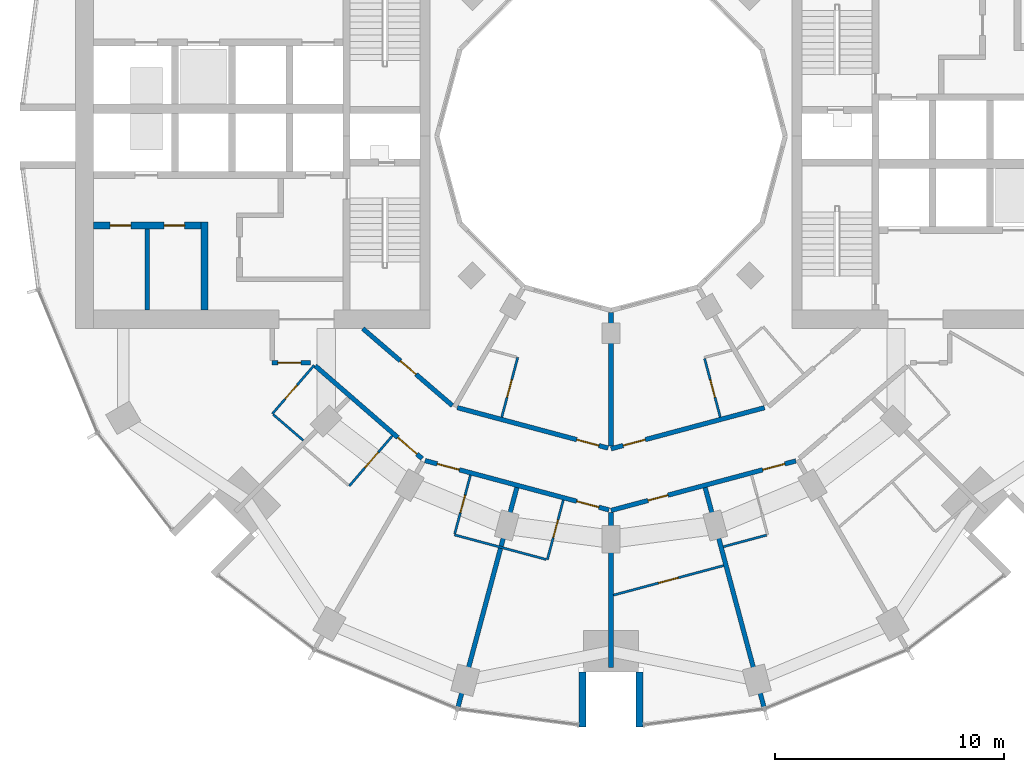
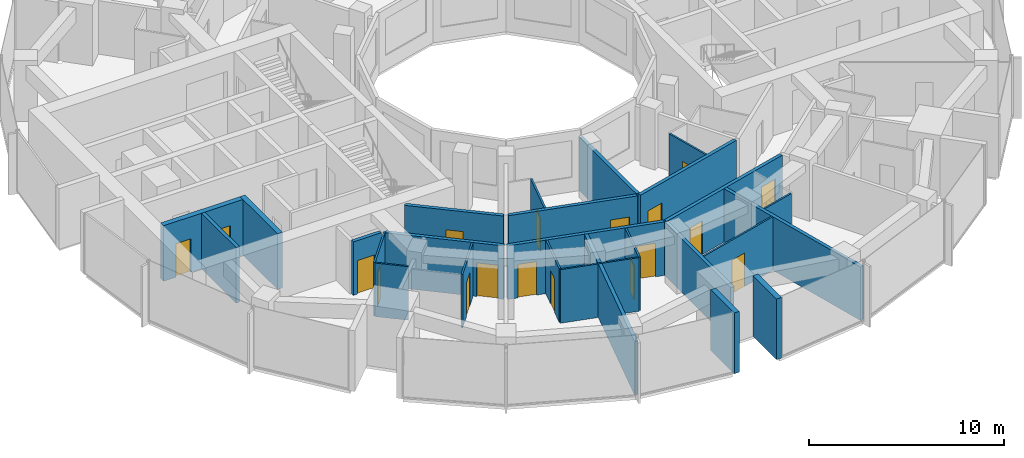
# One storey, part 8 of 15: 26 walls, 18 doors, 18 openings.
"""IFC4 building model written with IfcOpenShell, lengths in metres."""

from ifc_helpers import new_model, si_unit, direction, frame, frame_2d, origin, place, context, subcontext, project, spatial, rectangle, extrude, material, layer, layer_set, type_object, element, fill, save


model = new_model("IFC4")

# Units and contexts
model_context = context("Model", 3, precision=1e-05, world=origin(), true_north=direction((0.0, 1.0)))
body_context = subcontext(model_context, "Body", "Model", "MODEL_VIEW")
ifc_project = project(units=[si_unit("LENGTHUNIT", "METRE"), si_unit("AREAUNIT", "SQUARE_METRE"), si_unit("VOLUMEUNIT", "CUBIC_METRE"), si_unit("PLANEANGLEUNIT", "RADIAN"), si_unit("MASSUNIT", "GRAM", prefix="KILO")], contexts=[model_context])

# Site, building, storey
site_placement = place(None, origin())
site = spatial("IfcSite", under=ifc_project, at=site_placement, CompositionType="ELEMENT")
building_placement = place(site_placement, origin())
building = spatial("IfcBuilding", under=site, at=building_placement, Name="Torre Brocal", CompositionType="ELEMENT")
storey_placement = place(building_placement, frame((0.0, 0.0, 47.800048828125)))
storey = spatial("IfcBuildingStorey", under=building, at=storey_placement, Name="L10", CompositionType="ELEMENT", Elevation=47.800048828125)

# Walls
ifc_material_1 = material(Name="Masonry block", Category="masonry")
ifc_layer_1 = layer(ifc_material_1, 0.199951171875)
ifc_layer_set_1 = layer_set([ifc_layer_1], Name="Masonry block")
wall_type_1 = type_object("IfcWallType", Name="CORE PARTITION 200", PredefinedType="PARTITIONING", material=ifc_layer_set_1)
wall_1_placement = place(storey_placement, frame((59.75, 70.949951171875, 0.0), z_axis=(0.0, 0.0, 1.0), x_axis=(0.0, -1.0, 0.0)))
element("IfcWall", 1, at=wall_1_placement, inside=storey, type_object=wall_type_1, Name="Wall CP200", PredefinedType="PARTITIONING", context=body_context, shape_type="SweptSolid", body=[
    extrude(rectangle(XDim=3.550048828125, YDim=0.199951171875, at=frame_2d((1.77490234375, 0.0))), origin(), (0.0, 0.0, 1.0), 3.47998046875),
])
ifc_material_2 = material(Name="Concrete C80", Category="concrete")
ifc_layer_2 = layer(ifc_material_2, 0.300048828125)
ifc_layer_set_2 = layer_set([ifc_layer_2], Name="Concrete C80")
wall_type_2 = type_object("IfcWallType", Name="CORE WALL 300 C80", PredefinedType="SHEAR", material=ifc_layer_set_2)
wall_2_placement = place(storey_placement, frame((62.25, 71.25, 0.0), z_axis=(0.0, 0.0, 1.0), x_axis=(0.0, -1.0, 0.0)))
element("IfcWall", 2, at=wall_2_placement, inside=storey, type_object=wall_type_2, Name="Wall CW300-80", PredefinedType="SHEAR", context=body_context, shape_type="SweptSolid", body=[
    extrude(rectangle(XDim=3.85009765625, YDim=0.300048828125, at=frame_2d((1.925048828125, 0.0))), origin(), (0.0, 0.0, 1.0), 3.47998046875),
])

# Wall, openings, doors
wall_3_placement = place(storey_placement, frame((62.10009765625, 71.10009765625, 0.0), z_axis=(0.0, 0.0, 1.0), x_axis=(-1.0, 0.0, 0.0)))
wall_3 = element("IfcWall", 3, at=wall_3_placement, inside=storey, type_object=wall_type_2, Name="Wall CW300-80", PredefinedType="SHEAR", context=body_context, shape_type="SweptSolid", body=[
    extrude(rectangle(XDim=4.7001953125, YDim=0.300048828125, at=frame_2d((2.35009765625, 0.0))), origin(), (0.0, 0.0, 1.0), 3.47998046875),
])
opening_1_placement = place(wall_3_placement, frame((0.72509765625, 0.0, 0.0)))
opening_1 = element("IfcOpeningElement", 4, at=opening_1_placement, cuts=wall_3, Name="Opening W-D05", PredefinedType="OPENING", context=body_context, shape_type="SweptSolid", body=[
    extrude(rectangle(XDim=0.89990234375, YDim=2.10009765625, at=frame_2d((0.449951171875, 1.050048828125))), frame((0.0, 0.159912109375, 0.0), z_axis=(0.0, -1.0, 0.0), x_axis=(1.0, 0.0, 0.0)), (0.0, 0.0, 1.0), 0.320068359375),
])
opening_2_placement = place(wall_3_placement, frame((3.074951171875, 0.0, 0.0)))
opening_2 = element("IfcOpeningElement", 5, at=opening_2_placement, cuts=wall_3, Name="Opening W-D06", PredefinedType="OPENING", context=body_context, shape_type="SweptSolid", body=[
    extrude(rectangle(XDim=0.89990234375, YDim=2.10009765625, at=frame_2d((0.449951171875, 1.050048828125))), frame((0.0, 0.159912109375, 0.0), z_axis=(0.0, -1.0, 0.0), x_axis=(1.0, 0.0, 0.0)), (0.0, 0.0, 1.0), 0.320068359375),
])
ifc_material_3 = material(Name="Steel A653", Category="steel")
door_type_1 = type_object("IfcDoorType", Name="ROOM DOOR FD30S 900X2100", OperationType="SINGLE_SWING_LEFT", PredefinedType="DOOR", material=ifc_material_3)
door_1_placement = place(opening_1_placement, origin())
door_1 = element("IfcDoor", 6, at=door_1_placement, inside=storey, type_object=door_type_1, Name="Door W-D05", OperationType="SINGLE_SWING_RIGHT", OverallHeight=2.10009765625, OverallWidth=0.89990234375, PredefinedType="DOOR", context=body_context, shape_type="SweptSolid", body=[
    extrude(rectangle(XDim=0.89990234375, YDim=2.10009765625, at=frame_2d((0.449951171875, 1.050048828125))), frame((0.0, 0.02490234375, 0.0), z_axis=(0.0, -1.0, 0.0), x_axis=(1.0, 0.0, 0.0)), (0.0, 0.0, 1.0), 0.050048828125),
])
fill(opening_1, door_1)
door_2_placement = place(opening_2_placement, origin())
door_2 = element("IfcDoor", 7, at=door_2_placement, inside=storey, type_object=door_type_1, Name="Door W-D06", OperationType="SINGLE_SWING_LEFT", OverallHeight=2.10009765625, OverallWidth=0.89990234375, PredefinedType="DOOR", context=body_context, shape_type="SweptSolid", body=[
    extrude(rectangle(XDim=0.89990234375, YDim=2.10009765625, at=frame_2d((0.449951171875, 1.050048828125))), frame((0.0, 0.02490234375, 0.0), z_axis=(0.0, -1.0, 0.0), x_axis=(1.0, 0.0, 0.0)), (0.0, 0.0, 1.0), 0.050048828125),
])
fill(opening_2, door_2)

# Walls
ifc_material_4 = material(Name="Concrete C80", Category="concrete")
ifc_layer_3 = layer(ifc_material_4, 0.300048828125)
ifc_layer_set_3 = layer_set([ifc_layer_3], Name="Concrete C80")
wall_type_3 = type_object("IfcWallType", Name="NOTCH RETURN WALL 300 C80", PredefinedType="NOTDEFINED", material=ifc_layer_set_3)
for number, where, z_axis, x_axis, name in (
    (8, (78.75, 51.60009765625, 0.0), (0.0, 0.0, 1.0), (0.0, -1.0, 0.0), "NOTCH RETURN WALL"),
    (9, (81.25, 51.60009765625, 0.0), (0.0, 0.0, 1.0), (0.0, -1.0, 0.0), "NOTCH RETURN WALL"),
):
    element("IfcWall", number, at=place(storey_placement, frame(where, z_axis=z_axis, x_axis=x_axis)), inside=storey, type_object=wall_type_3, Name=name, PredefinedType="NOTDEFINED", context=body_context, shape_type="SweptSolid", body=[
        extrude(rectangle(XDim=2.415771484375, YDim=0.300048828125, at=frame_2d((1.2080078125, 0.0))), origin(), (0.0, 0.0, 1.0), 3.800048828125),
    ])
ifc_material_5 = material(Name="Gypsum board", Category="Gypsum")
ifc_layer_4 = layer(ifc_material_5, 0.10009765625)
ifc_layer_set_4 = layer_set([ifc_layer_4], Name="Gypsum board")
wall_type_4 = type_object("IfcWallType", Name="PARTITION 100", PredefinedType="PARTITIONING", material=ifc_layer_set_4)
wall_4_placement = place(storey_placement, frame((65.245849609375, 62.84228515625, 0.0), z_axis=(0.0, 0.0, 1.0), x_axis=(0.758030338995, -0.652219292234, 0.0)))
element("IfcWall", 10, at=wall_4_placement, inside=storey, type_object=wall_type_4, Name="BATHROOM WALL", PredefinedType="PARTITIONING", context=body_context, shape_type="SweptSolid", body=[
    extrude(rectangle(XDim=1.73046875, YDim=0.10009765625, at=frame_2d((0.865234375, 0.0))), origin(), (0.0, 0.0, 1.0), 3.349853515625),
])

# Wall, opening, door
wall_5_placement = place(storey_placement, frame((65.2080078125, 62.875, 0.0), z_axis=(0.0, 0.0, 1.0), x_axis=(0.65205430601, 0.758172264076, 0.0)))
wall_5 = element("IfcWall", 11, at=wall_5_placement, inside=storey, type_object=wall_type_4, Name="BATHROOM WALL", PredefinedType="PARTITIONING", context=body_context, shape_type="SweptSolid", body=[
    extrude(rectangle(XDim=2.7998046875, YDim=0.10009765625, at=frame_2d((1.39990234375, 0.0))), origin(), (0.0, 0.0, 1.0), 3.349853515625),
])
opening_3_placement = place(wall_5_placement, frame((0.85009765625, 0.0, 0.0)))
opening_3 = element("IfcOpeningElement", 12, at=opening_3_placement, cuts=wall_5, Name="Opening H02-D40", PredefinedType="OPENING", context=body_context, shape_type="SweptSolid", body=[
    extrude(rectangle(XDim=0.800048828125, YDim=2.10009765625, at=frame_2d((0.39990234375, 1.050048828125))), frame((0.0, 0.06005859375, 0.0), z_axis=(0.0, -1.0, 0.0), x_axis=(1.0, 0.0, 0.0)), (0.0, 0.0, 1.0), 0.1201171875),
])
ifc_material_6 = material(Name="Timber", Category="wood")
door_type_2 = type_object("IfcDoorType", Name="BATHROOM DOOR 800X2100", OperationType="SINGLE_SWING_LEFT", PredefinedType="DOOR", material=ifc_material_6)
door_3_placement = place(opening_3_placement, frame((0.800048828125, 0.0, 0.0), z_axis=(0.0, 0.0, 1.0), x_axis=(-1.0, 0.0, 0.0)))
door_3 = element("IfcDoor", 13, at=door_3_placement, inside=storey, type_object=door_type_2, Name="H02-D40", OperationType="SINGLE_SWING_RIGHT", OverallHeight=2.10009765625, OverallWidth=0.800048828125, PredefinedType="DOOR", context=body_context, shape_type="SweptSolid", body=[
    extrude(rectangle(XDim=0.800048828125, YDim=2.10009765625, at=frame_2d((0.39990234375, 1.050048828125))), frame((0.0, 0.02490234375, 0.0), z_axis=(0.0, -1.0, 0.0), x_axis=(1.0, 0.0, 0.0)), (0.0, 0.0, 1.0), 0.050048828125),
])
fill(opening_3, door_3)

wall_6_placement = place(storey_placement, frame((68.56591796875, 59.721923828125, 0.0), z_axis=(0.0, 0.0, 1.0), x_axis=(0.65193146671, 0.758277892803, 0.0)))
wall_6 = element("IfcWall", 14, at=wall_6_placement, inside=storey, type_object=wall_type_4, Name="BATHROOM WALL", PredefinedType="PARTITIONING", context=body_context, shape_type="SweptSolid", body=[
    extrude(rectangle(XDim=2.890380859375, YDim=0.10009765625, at=frame_2d((1.4453125, 0.0))), origin(), (0.0, 0.0, 1.0), 3.349853515625),
])
opening_4_placement = place(wall_6_placement, frame((1.050048828125, 0.0, 0.0)))
opening_4 = element("IfcOpeningElement", 15, at=opening_4_placement, cuts=wall_6, Name="Opening H02-D38", PredefinedType="OPENING", context=body_context, shape_type="SweptSolid", body=[
    extrude(rectangle(XDim=0.89990234375, YDim=2.10009765625, at=frame_2d((0.449951171875, 1.050048828125))), frame((0.0, 0.06005859375, 0.0), z_axis=(0.0, -1.0, 0.0), x_axis=(1.0, 0.0, 0.0)), (0.0, 0.0, 1.0), 0.1201171875),
])
ifc_material_7 = material(Name="Timber", Category="wood")
door_type_3 = type_object("IfcDoorType", Name="ACCESSIBLE BATHROOM DOOR 900X2100", OperationType="SINGLE_SWING_LEFT", PredefinedType="DOOR", material=ifc_material_7)
door_4_placement = place(opening_4_placement, origin())
door_4 = element("IfcDoor", 16, at=door_4_placement, inside=storey, type_object=door_type_3, Name="H02-D38", OperationType="SINGLE_SWING_RIGHT", OverallHeight=2.10009765625, OverallWidth=0.89990234375, PredefinedType="DOOR", context=body_context, shape_type="SweptSolid", body=[
    extrude(rectangle(XDim=0.89990234375, YDim=2.10009765625, at=frame_2d((0.449951171875, 1.050048828125))), frame((0.0, 0.02490234375, 0.0), z_axis=(0.0, -1.0, 0.0), x_axis=(1.0, 0.0, 0.0)), (0.0, 0.0, 1.0), 0.050048828125),
])
fill(opening_4, door_4)

wall_7_placement = place(storey_placement, frame((73.173828125, 57.63623046875, 0.0), z_axis=(0.0, 0.0, 1.0), x_axis=(0.258952498977, 0.96589005755, 0.0)))
wall_7 = element("IfcWall", 17, at=wall_7_placement, inside=storey, type_object=wall_type_4, Name="BATHROOM WALL", PredefinedType="PARTITIONING", context=body_context, shape_type="SweptSolid", body=[
    extrude(rectangle(XDim=2.650146484375, YDim=0.10009765625, at=frame_2d((1.3251953125, 0.0))), origin(), (0.0, 0.0, 1.0), 3.349853515625),
])
opening_5_placement = place(wall_7_placement, frame((0.9501953125, 0.0, 0.0)))
opening_5 = element("IfcOpeningElement", 18, at=opening_5_placement, cuts=wall_7, Name="Opening H02-D36", PredefinedType="OPENING", context=body_context, shape_type="SweptSolid", body=[
    extrude(rectangle(XDim=0.800048828125, YDim=2.10009765625, at=frame_2d((0.39990234375, 1.050048828125))), frame((0.0, 0.06005859375, 0.0), z_axis=(0.0, -1.0, 0.0), x_axis=(1.0, 0.0, 0.0)), (0.0, 0.0, 1.0), 0.1201171875),
])
door_5_placement = place(opening_5_placement, frame((0.800048828125, 0.0, 0.0), z_axis=(0.0, 0.0, 1.0), x_axis=(-1.0, 0.0, 0.0)))
door_5 = element("IfcDoor", 19, at=door_5_placement, inside=storey, type_object=door_type_2, Name="H02-D36", OperationType="SINGLE_SWING_LEFT", OverallHeight=2.10009765625, OverallWidth=0.800048828125, PredefinedType="DOOR", context=body_context, shape_type="SweptSolid", body=[
    extrude(rectangle(XDim=0.800048828125, YDim=2.10009765625, at=frame_2d((0.39990234375, 1.050048828125))), frame((0.0, 0.02490234375, 0.0), z_axis=(0.0, -1.0, 0.0), x_axis=(1.0, 0.0, 0.0)), (0.0, 0.0, 1.0), 0.050048828125),
])
fill(opening_5, door_5)

# Wall
wall_8_placement = place(storey_placement, frame((73.160888671875, 57.587890625, 0.0), z_axis=(0.0, 0.0, 1.0), x_axis=(0.965858994467, -0.259068336173, 0.0)))
element("IfcWall", 20, at=wall_8_placement, inside=storey, type_object=wall_type_4, Name="BATHROOM WALL", PredefinedType="PARTITIONING", context=body_context, shape_type="SweptSolid", body=[
    extrude(rectangle(XDim=4.150146484375, YDim=0.10009765625, at=frame_2d((2.0751953125, 0.0))), origin(), (0.0, 0.0, 1.0), 3.349853515625),
])

# Wall, opening, door
wall_9_placement = place(storey_placement, frame((75.226806640625, 62.728759765625, 0.0), z_axis=(0.0, 0.0, 1.0), x_axis=(0.258945475746, 0.965891940432, 0.0)))
wall_9 = element("IfcWall", 21, at=wall_9_placement, inside=storey, type_object=wall_type_4, Name="BATHROOM WALL", PredefinedType="PARTITIONING", context=body_context, shape_type="SweptSolid", body=[
    extrude(rectangle(XDim=2.7001953125, YDim=0.10009765625, at=frame_2d((1.35009765625, 0.0))), origin(), (0.0, 0.0, 1.0), 3.349853515625),
])
opening_6_placement = place(wall_9_placement, frame((0.900146484375, 0.0, 0.0)))
opening_6 = element("IfcOpeningElement", 22, at=opening_6_placement, cuts=wall_9, Name="Opening H02-D46", PredefinedType="OPENING", context=body_context, shape_type="SweptSolid", body=[
    extrude(rectangle(XDim=0.800048828125, YDim=2.10009765625, at=frame_2d((0.39990234375, 1.050048828125))), frame((0.0, 0.06005859375, 0.0), z_axis=(0.0, -1.0, 0.0), x_axis=(1.0, 0.0, 0.0)), (0.0, 0.0, 1.0), 0.1201171875),
])
door_6_placement = place(opening_6_placement, origin())
door_6 = element("IfcDoor", 23, at=door_6_placement, inside=storey, type_object=door_type_2, Name="H02-D46", OperationType="SINGLE_SWING_LEFT", OverallHeight=2.10009765625, OverallWidth=0.800048828125, PredefinedType="DOOR", context=body_context, shape_type="SweptSolid", body=[
    extrude(rectangle(XDim=0.800048828125, YDim=2.10009765625, at=frame_2d((0.39990234375, 1.050048828125))), frame((0.0, 0.02490234375, 0.0), z_axis=(0.0, -1.0, 0.0), x_axis=(1.0, 0.0, 0.0)), (0.0, 0.0, 1.0), 0.050048828125),
])
fill(opening_6, door_6)

wall_10_placement = place(storey_placement, frame((77.218017578125, 56.5009765625, 0.0), z_axis=(0.0, 0.0, 1.0), x_axis=(0.258591408257, 0.965986792651, 0.0)))
wall_10 = element("IfcWall", 24, at=wall_10_placement, inside=storey, type_object=wall_type_4, Name="BATHROOM WALL", PredefinedType="PARTITIONING", context=body_context, shape_type="SweptSolid", body=[
    extrude(rectangle(XDim=2.69921875, YDim=0.10009765625, at=frame_2d((1.349609375, 0.0))), origin(), (0.0, 0.0, 1.0), 3.349853515625),
])
opening_7_placement = place(wall_10_placement, frame((0.99951171875, 0.0, 0.0)))
opening_7 = element("IfcOpeningElement", 25, at=opening_7_placement, cuts=wall_10, Name="Opening H02-D34", PredefinedType="OPENING", context=body_context, shape_type="SweptSolid", body=[
    extrude(rectangle(XDim=0.800048828125, YDim=2.10009765625, at=frame_2d((0.39990234375, 1.050048828125))), frame((0.0, 0.06005859375, 0.0), z_axis=(0.0, -1.0, 0.0), x_axis=(1.0, 0.0, 0.0)), (0.0, 0.0, 1.0), 0.1201171875),
])
door_7_placement = place(opening_7_placement, origin())
door_7 = element("IfcDoor", 26, at=door_7_placement, inside=storey, type_object=door_type_2, Name="H02-D34", OperationType="SINGLE_SWING_RIGHT", OverallHeight=2.10009765625, OverallWidth=0.800048828125, PredefinedType="DOOR", context=body_context, shape_type="SweptSolid", body=[
    extrude(rectangle(XDim=0.800048828125, YDim=2.10009765625, at=frame_2d((0.39990234375, 1.050048828125))), frame((0.0, 0.02490234375, 0.0), z_axis=(0.0, -1.0, 0.0), x_axis=(1.0, 0.0, 0.0)), (0.0, 0.0, 1.0), 0.050048828125),
])
fill(opening_7, door_7)

wall_11_placement = place(storey_placement, frame((80.106201171875, 54.95556640625, 0.0), z_axis=(0.0, 0.0, 1.0), x_axis=(0.965910666284, 0.258875616386, 0.0)))
wall_11 = element("IfcWall", 27, at=wall_11_placement, inside=storey, type_object=wall_type_4, Name="ROOM PARTITION", PredefinedType="PARTITIONING", context=body_context, shape_type="SweptSolid", body=[
    extrude(rectangle(XDim=4.985107421875, YDim=0.10009765625, at=frame_2d((2.49267578125, 0.0))), origin(), (0.0, 0.0, 1.0), 3.349853515625),
])
opening_8_placement = place(wall_11_placement, frame((2.03759765625, 0.0, 0.0)))
opening_8 = element("IfcOpeningElement", 28, at=opening_8_placement, cuts=wall_11, Name="Opening H02-D32", PredefinedType="OPENING", context=body_context, shape_type="SweptSolid", body=[
    extrude(rectangle(XDim=0.89990234375, YDim=2.10009765625, at=frame_2d((0.449951171875, 1.050048828125))), frame((0.0, 0.06005859375, 0.0), z_axis=(0.0, -1.0, 0.0), x_axis=(1.0, 0.0, 0.0)), (0.0, 0.0, 1.0), 0.1201171875),
])
ifc_material_8 = material(Name="Timber", Category="wood")
door_type_4 = type_object("IfcDoorType", Name="ROOM DOOR 900X2100", OperationType="SINGLE_SWING_LEFT", PredefinedType="DOOR", material=ifc_material_8)
door_8_placement = place(opening_8_placement, origin())
door_8 = element("IfcDoor", 29, at=door_8_placement, inside=storey, type_object=door_type_4, Name="H02-D32", OperationType="SINGLE_SWING_LEFT", OverallHeight=2.10009765625, OverallWidth=0.89990234375, PredefinedType="DOOR", context=body_context, shape_type="SweptSolid", body=[
    extrude(rectangle(XDim=0.89990234375, YDim=2.10009765625, at=frame_2d((0.449951171875, 1.050048828125))), frame((0.0, 0.02490234375, 0.0), z_axis=(0.0, -1.0, 0.0), x_axis=(1.0, 0.0, 0.0)), (0.0, 0.0, 1.0), 0.050048828125),
])
fill(opening_8, door_8)

wall_12_placement = place(storey_placement, frame((84.0869140625, 65.288818359375, 0.0), z_axis=(0.0, 0.0, 1.0), x_axis=(0.258929459649, -0.965896234037, 0.0)))
wall_12 = element("IfcWall", 30, at=wall_12_placement, inside=storey, type_object=wall_type_4, Name="BATHROOM WALL", PredefinedType="PARTITIONING", context=body_context, shape_type="SweptSolid", body=[
    extrude(rectangle(XDim=2.650390625, YDim=0.10009765625, at=frame_2d((1.3251953125, 0.0))), origin(), (0.0, 0.0, 1.0), 3.349853515625),
])
opening_9_placement = place(wall_12_placement, frame((0.9501953125, 0.0, 0.0)))
opening_9 = element("IfcOpeningElement", 31, at=opening_9_placement, cuts=wall_12, Name="Opening H02-D44", PredefinedType="OPENING", context=body_context, shape_type="SweptSolid", body=[
    extrude(rectangle(XDim=0.800048828125, YDim=2.10009765625, at=frame_2d((0.39990234375, 1.050048828125))), frame((0.0, 0.06005859375, 0.0), z_axis=(0.0, -1.0, 0.0), x_axis=(1.0, 0.0, 0.0)), (0.0, 0.0, 1.0), 0.1201171875),
])
door_9_placement = place(opening_9_placement, origin())
door_9 = element("IfcDoor", 32, at=door_9_placement, inside=storey, type_object=door_type_2, Name="H02-D44", OperationType="SINGLE_SWING_RIGHT", OverallHeight=2.10009765625, OverallWidth=0.800048828125, PredefinedType="DOOR", context=body_context, shape_type="SweptSolid", body=[
    extrude(rectangle(XDim=0.800048828125, YDim=2.10009765625, at=frame_2d((0.39990234375, 1.050048828125))), frame((0.0, 0.02490234375, 0.0), z_axis=(0.0, -1.0, 0.0), x_axis=(1.0, 0.0, 0.0)), (0.0, 0.0, 1.0), 0.050048828125),
])
fill(opening_9, door_9)

# Wall
wall_13_placement = place(storey_placement, frame((84.90771484375, 57.06982421875, 0.0), z_axis=(0.0, 0.0, 1.0), x_axis=(0.965853538138, 0.25908867761, 0.0)))
element("IfcWall", 33, at=wall_13_placement, inside=storey, type_object=wall_type_4, Name="BATHROOM WALL", PredefinedType="PARTITIONING", context=body_context, shape_type="SweptSolid", body=[
    extrude(rectangle(XDim=1.94970703125, YDim=0.10009765625, at=frame_2d((0.974853515625, 0.0))), origin(), (0.0, 0.0, 1.0), 3.349853515625),
])

# Wall, opening, door
ifc_material_9 = material(Name="Gypsum board", Category="Gypsum")
ifc_layer_5 = layer(ifc_material_9, 0.199951171875)
ifc_layer_set_5 = layer_set([ifc_layer_5], Name="Gypsum board")
wall_type_5 = type_object("IfcWallType", Name="PARTITION 200 EI60", PredefinedType="PARTITIONING", material=ifc_layer_set_5)
wall_14_placement = place(storey_placement, frame((65.199951171875, 65.10009765625, 0.0), z_axis=(0.0, 0.0, 1.0), x_axis=(1.0, 0.0, 0.0)))
wall_14 = element("IfcWall", 34, at=wall_14_placement, inside=storey, type_object=wall_type_5, Name="GUESTROOM CORRIDOR WALL", PredefinedType="PARTITIONING", context=body_context, shape_type="SweptSolid", body=[
    extrude(rectangle(XDim=1.6650390625, YDim=0.199951171875, at=frame_2d((0.83251953125, 0.0))), origin(), (0.0, 0.0, 1.0), 3.349853515625),
])
opening_10_placement = place(wall_14_placement, frame((0.25, 0.0, 0.0)))
opening_10 = element("IfcOpeningElement", 35, at=opening_10_placement, cuts=wall_14, Name="Opening H02-D39", PredefinedType="OPENING", context=body_context, shape_type="SweptSolid", body=[
    extrude(rectangle(XDim=1.0, YDim=2.10009765625, at=frame_2d((0.5, 1.050048828125))), frame((0.0, 0.10986328125, 0.0), z_axis=(0.0, -1.0, 0.0), x_axis=(1.0, 0.0, 0.0)), (0.0, 0.0, 1.0), 0.219970703125),
])
ifc_material_10 = material(Name="Timber", Category="wood")
door_type_5 = type_object("IfcDoorType", Name="FLAT ENTRY DOOR FD30S 1000X2100", OperationType="SINGLE_SWING_RIGHT", PredefinedType="DOOR", material=ifc_material_10)
door_10_placement = place(opening_10_placement, frame((1.0, 0.0, 0.0), z_axis=(0.0, 0.0, 1.0), x_axis=(-1.0, 0.0, 0.0)))
door_10 = element("IfcDoor", 36, at=door_10_placement, inside=storey, type_object=door_type_5, Name="H02-D39", OperationType="SINGLE_SWING_RIGHT", OverallHeight=2.10009765625, OverallWidth=1.0, PredefinedType="DOOR", context=body_context, shape_type="SweptSolid", body=[
    extrude(rectangle(XDim=1.0, YDim=2.10009765625, at=frame_2d((0.5, 1.050048828125))), frame((0.0, 0.02490234375, 0.0), z_axis=(0.0, -1.0, 0.0), x_axis=(1.0, 0.0, 0.0)), (0.0, 0.0, 1.0), 0.050048828125),
])
fill(opening_10, door_10)

wall_15_placement = place(storey_placement, frame((67.08203125, 64.971923828125, 0.0), z_axis=(0.0, 0.0, 1.0), x_axis=(0.755033632617, -0.655686063309, 0.0)))
wall_15 = element("IfcWall", 37, at=wall_15_placement, inside=storey, type_object=wall_type_5, Name="GUESTROOM CORRIDOR WALL", PredefinedType="PARTITIONING", context=body_context, shape_type="SweptSolid", body=[
    extrude(rectangle(XDim=6.185302734375, YDim=0.199951171875, at=frame_2d((3.0927734375, 0.0))), origin(), (0.0, 0.0, 1.0), 3.349853515625),
])
opening_11_placement = place(wall_15_placement, frame((4.778076171875, 0.0, 0.0)))
opening_11 = element("IfcOpeningElement", 38, at=opening_11_placement, cuts=wall_15, Name="Opening H02-D37", PredefinedType="OPENING", context=body_context, shape_type="SweptSolid", body=[
    extrude(rectangle(XDim=1.10009765625, YDim=2.10009765625, at=frame_2d((0.550048828125, 1.050048828125))), frame((0.0, 0.10986328125, 0.0), z_axis=(0.0, -1.0, 0.0), x_axis=(1.0, 0.0, 0.0)), (0.0, 0.0, 1.0), 0.219970703125),
])
ifc_material_11 = material(Name="Timber", Category="wood")
door_type_6 = type_object("IfcDoorType", Name="ACCESSIBLE ENTRY DOOR FD30S 1100X2100", OperationType="SINGLE_SWING_RIGHT", PredefinedType="DOOR", material=ifc_material_11)
door_11_placement = place(opening_11_placement, frame((1.10009765625, 0.0, 0.0), z_axis=(0.0, 0.0, 1.0), x_axis=(-1.0, 0.0, 0.0)))
door_11 = element("IfcDoor", 39, at=door_11_placement, inside=storey, type_object=door_type_6, Name="H02-D37", OperationType="SINGLE_SWING_RIGHT", OverallHeight=2.10009765625, OverallWidth=1.10009765625, PredefinedType="DOOR", context=body_context, shape_type="SweptSolid", body=[
    extrude(rectangle(XDim=1.10009765625, YDim=2.10009765625, at=frame_2d((0.550048828125, 1.050048828125))), frame((0.0, 0.02490234375, 0.0), z_axis=(0.0, -1.0, 0.0), x_axis=(1.0, 0.0, 0.0)), (0.0, 0.0, 1.0), 0.050048828125),
])
fill(opening_11, door_11)

wall_16_placement = place(storey_placement, frame((69.157958984375, 66.60009765625, 0.0), z_axis=(0.0, 0.0, 1.0), x_axis=(0.758063092745, -0.652181222835, 0.0)))
wall_16 = element("IfcWall", 40, at=wall_16_placement, inside=storey, type_object=wall_type_5, Name="CORRIDOR WALL", PredefinedType="PARTITIONING", context=body_context, shape_type="SweptSolid", body=[
    extrude(rectangle(XDim=5.160400390625, YDim=0.199951171875, at=frame_2d((2.580078125, 0.0))), origin(), (0.0, 0.0, 1.0), 3.349853515625),
])
opening_12_placement = place(wall_16_placement, frame((2.165283203125, 0.0, 0.0)))
opening_12 = element("IfcOpeningElement", 41, at=opening_12_placement, cuts=wall_16, Name="Opening H02-D47", PredefinedType="OPENING", context=body_context, shape_type="SweptSolid", body=[
    extrude(rectangle(XDim=0.89990234375, YDim=2.10009765625, at=frame_2d((0.449951171875, 1.050048828125))), frame((0.0, 0.10986328125, 0.0), z_axis=(0.0, -1.0, 0.0), x_axis=(1.0, 0.0, 0.0)), (0.0, 0.0, 1.0), 0.219970703125),
])
door_12_placement = place(opening_12_placement, origin())
door_12 = element("IfcDoor", 42, at=door_12_placement, inside=storey, type_object=door_type_4, Name="H02-D47", OperationType="SINGLE_SWING_LEFT", OverallHeight=2.10009765625, OverallWidth=0.89990234375, PredefinedType="DOOR", context=body_context, shape_type="SweptSolid", body=[
    extrude(rectangle(XDim=0.89990234375, YDim=2.10009765625, at=frame_2d((0.449951171875, 1.050048828125))), frame((0.0, 0.02490234375, 0.0), z_axis=(0.0, -1.0, 0.0), x_axis=(1.0, 0.0, 0.0)), (0.0, 0.0, 1.0), 0.050048828125),
])
fill(opening_12, door_12)

# Wall, openings, doors
wall_17_placement = place(storey_placement, frame((71.877197265625, 60.83154296875, 0.0), z_axis=(0.0, 0.0, 1.0), x_axis=(0.965852509869, -0.259092510851, 0.0)))
wall_17 = element("IfcWall", 43, at=wall_17_placement, inside=storey, type_object=wall_type_5, Name="GUESTROOM CORRIDOR WALL", PredefinedType="PARTITIONING", context=body_context, shape_type="SweptSolid", body=[
    extrude(rectangle(XDim=8.319580078125, YDim=0.199951171875, at=frame_2d((4.15966796875, 0.0))), origin(), (0.0, 0.0, 1.0), 3.349853515625),
])
opening_13_placement = place(wall_17_placement, frame((6.859619140625, 0.0, 0.0)))
opening_13 = element("IfcOpeningElement", 44, at=opening_13_placement, cuts=wall_17, Name="Opening H02-D33", PredefinedType="OPENING", context=body_context, shape_type="SweptSolid", body=[
    extrude(rectangle(XDim=1.0, YDim=2.10009765625, at=frame_2d((0.5, 1.050048828125))), frame((0.0, 0.10986328125, 0.0), z_axis=(0.0, -1.0, 0.0), x_axis=(1.0, 0.0, 0.0)), (0.0, 0.0, 1.0), 0.219970703125),
])
opening_14_placement = place(wall_17_placement, frame((0.550048828125, 0.0, 0.0)))
opening_14 = element("IfcOpeningElement", 45, at=opening_14_placement, cuts=wall_17, Name="Opening H02-D35", PredefinedType="OPENING", context=body_context, shape_type="SweptSolid", body=[
    extrude(rectangle(XDim=1.0, YDim=2.10009765625, at=frame_2d((0.5, 1.050048828125))), frame((0.0, 0.10986328125, 0.0), z_axis=(0.0, -1.0, 0.0), x_axis=(1.0, 0.0, 0.0)), (0.0, 0.0, 1.0), 0.219970703125),
])
door_13_placement = place(opening_13_placement, frame((1.0, 0.0, 0.0), z_axis=(0.0, 0.0, 1.0), x_axis=(-1.0, 0.0, 0.0)))
door_13 = element("IfcDoor", 46, at=door_13_placement, inside=storey, type_object=door_type_5, Name="H02-D33", OperationType="SINGLE_SWING_RIGHT", OverallHeight=2.10009765625, OverallWidth=1.0, PredefinedType="DOOR", context=body_context, shape_type="SweptSolid", body=[
    extrude(rectangle(XDim=1.0, YDim=2.10009765625, at=frame_2d((0.5, 1.050048828125))), frame((0.0, 0.02490234375, 0.0), z_axis=(0.0, -1.0, 0.0), x_axis=(1.0, 0.0, 0.0)), (0.0, 0.0, 1.0), 0.050048828125),
])
fill(opening_13, door_13)
door_14_placement = place(opening_14_placement, frame((1.0, 0.0, 0.0), z_axis=(0.0, 0.0, 1.0), x_axis=(-1.0, 0.0, 0.0)))
door_14 = element("IfcDoor", 47, at=door_14_placement, inside=storey, type_object=door_type_5, Name="H02-D35", OperationType="SINGLE_SWING_LEFT", OverallHeight=2.10009765625, OverallWidth=1.0, PredefinedType="DOOR", context=body_context, shape_type="SweptSolid", body=[
    extrude(rectangle(XDim=1.0, YDim=2.10009765625, at=frame_2d((0.5, 1.050048828125))), frame((0.0, 0.02490234375, 0.0), z_axis=(0.0, -1.0, 0.0), x_axis=(1.0, 0.0, 0.0)), (0.0, 0.0, 1.0), 0.050048828125),
])
fill(opening_14, door_14)

# Wall, opening, door
wall_18_placement = place(storey_placement, frame((73.287353515625, 63.145263671875, 0.0), z_axis=(0.0, 0.0, 1.0), x_axis=(0.965854200194, -0.259086209526, 0.0)))
wall_18 = element("IfcWall", 48, at=wall_18_placement, inside=storey, type_object=wall_type_5, Name="GUESTROOM CORRIDOR WALL", PredefinedType="PARTITIONING", context=body_context, shape_type="SweptSolid", body=[
    extrude(rectangle(XDim=6.819580078125, YDim=0.199951171875, at=frame_2d((3.40966796875, 0.0))), origin(), (0.0, 0.0, 1.0), 3.349853515625),
])
opening_15_placement = place(wall_18_placement, frame((5.399658203125, 0.0, 0.0)))
opening_15 = element("IfcOpeningElement", 49, at=opening_15_placement, cuts=wall_18, Name="Opening H02-D45", PredefinedType="OPENING", context=body_context, shape_type="SweptSolid", body=[
    extrude(rectangle(XDim=1.0, YDim=2.10009765625, at=frame_2d((0.5, 1.050048828125))), frame((0.0, 0.10986328125, 0.0), z_axis=(0.0, -1.0, 0.0), x_axis=(1.0, 0.0, 0.0)), (0.0, 0.0, 1.0), 0.219970703125),
])
door_15_placement = place(opening_15_placement, origin())
door_15 = element("IfcDoor", 50, at=door_15_placement, inside=storey, type_object=door_type_5, Name="H02-D45", OperationType="SINGLE_SWING_RIGHT", OverallHeight=2.10009765625, OverallWidth=1.0, PredefinedType="DOOR", context=body_context, shape_type="SweptSolid", body=[
    extrude(rectangle(XDim=1.0, YDim=2.10009765625, at=frame_2d((0.5, 1.050048828125))), frame((0.0, 0.02490234375, 0.0), z_axis=(0.0, -1.0, 0.0), x_axis=(1.0, 0.0, 0.0)), (0.0, 0.0, 1.0), 0.050048828125),
])
fill(opening_15, door_15)

# Walls
wall_19_placement = place(storey_placement, frame((73.320556640625, 50.081298828125, 0.0), z_axis=(0.0, 0.0, 1.0), x_axis=(0.25891218439, 0.965900864879, 0.0)))
element("IfcWall", 51, at=wall_19_placement, inside=storey, type_object=wall_type_5, Name="BATHROOM WALL", PredefinedType="PARTITIONING", context=body_context, shape_type="SweptSolid", body=[
    extrude(rectangle(XDim=9.909423828125, YDim=0.199951171875, at=frame_2d((4.95458984375, 0.0))), origin(), (0.0, 0.0, 1.0), 3.349853515625),
])
wall_20_placement = place(storey_placement, frame((80.0, 51.800048828125, 0.0), z_axis=(0.0, 0.0, 1.0), x_axis=(0.0, 1.0, 0.0)))
element("IfcWall", 52, at=wall_20_placement, inside=storey, type_object=wall_type_5, Name="SERVICE ROOM WALL", PredefinedType="PARTITIONING", context=body_context, shape_type="SweptSolid", body=[
    extrude(rectangle(XDim=6.763916015625, YDim=0.199951171875, at=frame_2d((3.3818359375, 0.0))), origin(), (0.0, 0.0, 1.0), 3.349853515625),
])

# Wall, openings, doors
wall_21_placement = place(storey_placement, frame((79.999755859375, 58.65478515625, 0.0), z_axis=(0.0, 0.0, 1.0), x_axis=(0.965967338894, 0.258664068224, 0.0)))
wall_21 = element("IfcWall", 53, at=wall_21_placement, inside=storey, type_object=wall_type_5, Name="GUESTROOM CORRIDOR WALL", PredefinedType="PARTITIONING", context=body_context, shape_type="SweptSolid", body=[
    extrude(rectangle(XDim=8.359619140625, YDim=0.199951171875, at=frame_2d((4.1796875, 0.0))), origin(), (0.0, 0.0, 1.0), 3.349853515625),
])
opening_16_placement = place(wall_21_placement, frame((6.859619140625, 0.0, 0.0)))
opening_16 = element("IfcOpeningElement", 54, at=opening_16_placement, cuts=wall_21, Name="Opening H02-D29", PredefinedType="OPENING", context=body_context, shape_type="SweptSolid", body=[
    extrude(rectangle(XDim=1.0, YDim=2.10009765625, at=frame_2d((0.5, 1.050048828125))), frame((0.0, 0.10986328125, 0.0), z_axis=(0.0, -1.0, 0.0), x_axis=(1.0, 0.0, 0.0)), (0.0, 0.0, 1.0), 0.219970703125),
])
opening_17_placement = place(wall_21_placement, frame((1.6748046875, 0.0, 0.0)))
opening_17 = element("IfcOpeningElement", 55, at=opening_17_placement, cuts=wall_21, Name="Opening H02-D31", PredefinedType="OPENING", context=body_context, shape_type="SweptSolid", body=[
    extrude(rectangle(XDim=0.89990234375, YDim=2.10009765625, at=frame_2d((0.449951171875, 1.050048828125))), frame((0.0, 0.10986328125, 0.0), z_axis=(0.0, -1.0, 0.0), x_axis=(1.0, 0.0, 0.0)), (0.0, 0.0, 1.0), 0.219970703125),
])
door_16_placement = place(opening_16_placement, frame((1.0, 0.0, 0.0), z_axis=(0.0, 0.0, 1.0), x_axis=(-1.0, 0.0, 0.0)))
door_16 = element("IfcDoor", 56, at=door_16_placement, inside=storey, type_object=door_type_5, Name="H02-D29", OperationType="SINGLE_SWING_RIGHT", OverallHeight=2.10009765625, OverallWidth=1.0, PredefinedType="DOOR", context=body_context, shape_type="SweptSolid", body=[
    extrude(rectangle(XDim=1.0, YDim=2.10009765625, at=frame_2d((0.5, 1.050048828125))), frame((0.0, 0.02490234375, 0.0), z_axis=(0.0, -1.0, 0.0), x_axis=(1.0, 0.0, 0.0)), (0.0, 0.0, 1.0), 0.050048828125),
])
fill(opening_16, door_16)
door_17_placement = place(opening_17_placement, frame((0.89990234375, 0.0, 0.0), z_axis=(0.0, 0.0, 1.0), x_axis=(-1.0, 0.0, 0.0)))
door_17 = element("IfcDoor", 57, at=door_17_placement, inside=storey, type_object=door_type_4, Name="H02-D31", OperationType="SINGLE_SWING_LEFT", OverallHeight=2.10009765625, OverallWidth=0.89990234375, PredefinedType="DOOR", context=body_context, shape_type="SweptSolid", body=[
    extrude(rectangle(XDim=0.89990234375, YDim=2.10009765625, at=frame_2d((0.449951171875, 1.050048828125))), frame((0.0, 0.02490234375, 0.0), z_axis=(0.0, -1.0, 0.0), x_axis=(1.0, 0.0, 0.0)), (0.0, 0.0, 1.0), 0.050048828125),
])
fill(opening_17, door_17)

# Wall
wall_22_placement = place(storey_placement, frame((80.0, 61.47607421875, 0.0), z_axis=(0.0, 0.0, 1.0), x_axis=(0.0, 1.0, 0.0)))
element("IfcWall", 58, at=wall_22_placement, inside=storey, type_object=wall_type_5, Name="PARTY PARTITION", PredefinedType="PARTITIONING", context=body_context, shape_type="SweptSolid", body=[
    extrude(rectangle(XDim=5.824951171875, YDim=0.199951171875, at=frame_2d((2.91259765625, 0.0))), origin(), (0.0, 0.0, 1.0), 3.349853515625),
])

# Wall, opening, door
wall_23_placement = place(storey_placement, frame((80.0, 61.345947265625, 0.0), z_axis=(0.0, 0.0, 1.0), x_axis=(0.965924181808, 0.258825182312, 0.0)))
wall_23 = element("IfcWall", 59, at=wall_23_placement, inside=storey, type_object=wall_type_5, Name="GUESTROOM CORRIDOR WALL", PredefinedType="PARTITIONING", context=body_context, shape_type="SweptSolid", body=[
    extrude(rectangle(XDim=6.939697265625, YDim=0.199951171875, at=frame_2d((3.4697265625, 0.0))), origin(), (0.0, 0.0, 1.0), 3.349853515625),
])
opening_18_placement = place(wall_23_placement, frame((0.550048828125, 0.0, 0.0)))
opening_18 = element("IfcOpeningElement", 60, at=opening_18_placement, cuts=wall_23, Name="Opening H02-D43", PredefinedType="OPENING", context=body_context, shape_type="SweptSolid", body=[
    extrude(rectangle(XDim=1.0, YDim=2.10009765625, at=frame_2d((0.5, 1.050048828125))), frame((0.0, 0.10986328125, 0.0), z_axis=(0.0, -1.0, 0.0), x_axis=(1.0, 0.0, 0.0)), (0.0, 0.0, 1.0), 0.219970703125),
])
door_18_placement = place(opening_18_placement, origin())
door_18 = element("IfcDoor", 61, at=door_18_placement, inside=storey, type_object=door_type_5, Name="H02-D43", OperationType="SINGLE_SWING_LEFT", OverallHeight=2.10009765625, OverallWidth=1.0, PredefinedType="DOOR", context=body_context, shape_type="SweptSolid", body=[
    extrude(rectangle(XDim=1.0, YDim=2.10009765625, at=frame_2d((0.5, 1.050048828125))), frame((0.0, 0.02490234375, 0.0), z_axis=(0.0, -1.0, 0.0), x_axis=(1.0, 0.0, 0.0)), (0.0, 0.0, 1.0), 0.050048828125),
])
fill(opening_18, door_18)

# Wall
wall_24_placement = place(storey_placement, frame((84.11181640625, 59.65234375, 0.0), z_axis=(0.0, 0.0, 1.0), x_axis=(0.258791091927, -0.965933315886, 0.0)))
element("IfcWall", 62, at=wall_24_placement, inside=storey, type_object=wall_type_5, Name="BATHROOM WALL", PredefinedType="PARTITIONING", context=body_context, shape_type="SweptSolid", body=[
    extrude(rectangle(XDim=9.909423828125, YDim=0.199951171875, at=frame_2d((4.95458984375, 0.0))), origin(), (0.0, 0.0, 1.0), 3.349853515625),
])

save(model, "model.ifc")
